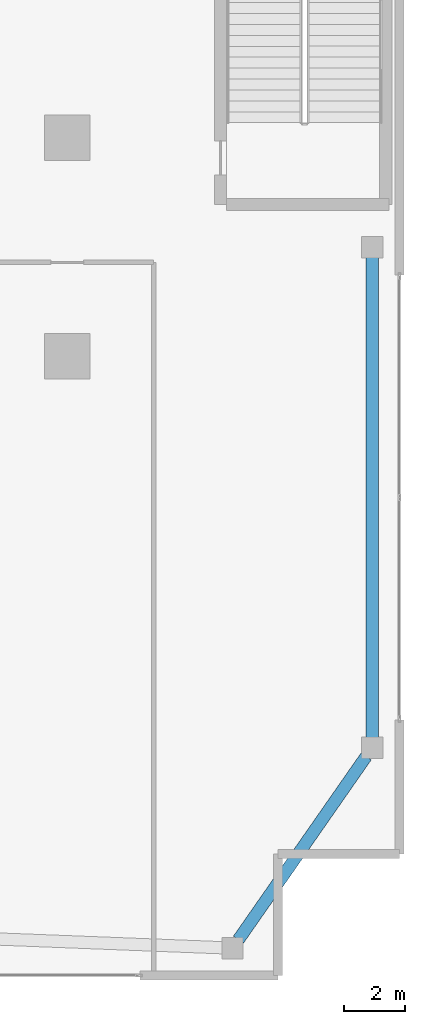
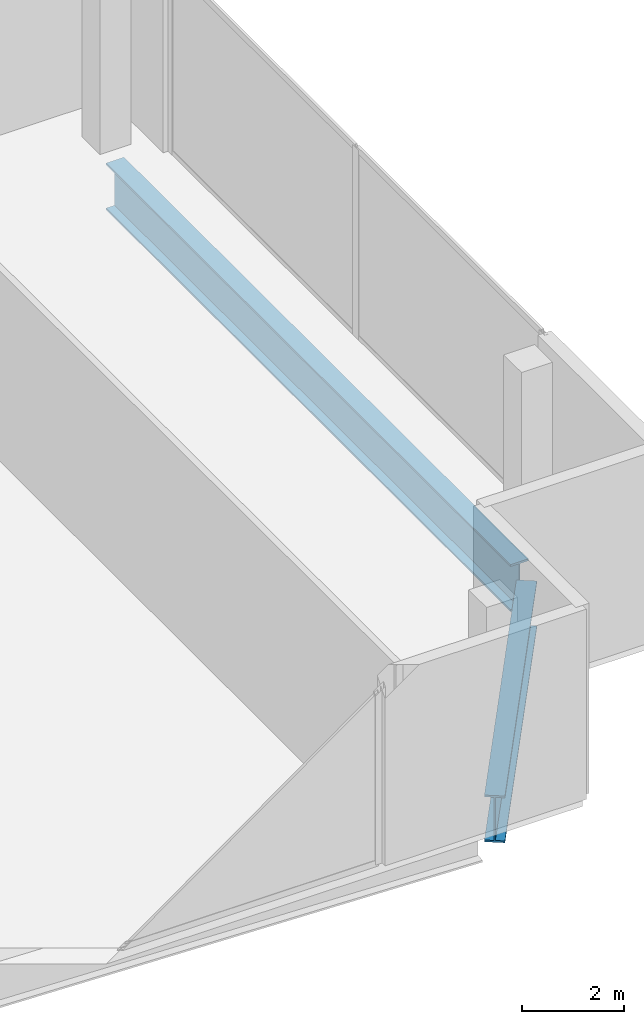
# One storey, part 21 of 33: 2 beams.
"""IFC4 building model written with IfcOpenShell, lengths in metres."""

from ifc_helpers import new_model, si_unit, direction, frame, origin, origin_2d, place, context, subcontext, project, spatial, i_section, extrude, material, material_profile, profile_set, type_object, element, save


model = new_model("IFC4")

# Units and contexts
model_context = context("Model", 3, precision=1e-05, world=origin(), true_north=direction((0.0, 1.0)))
body_context = subcontext(model_context, "Body", "Model", "MODEL_VIEW")
ifc_project = project(units=[si_unit("LENGTHUNIT", "METRE"), si_unit("AREAUNIT", "SQUARE_METRE"), si_unit("VOLUMEUNIT", "CUBIC_METRE"), si_unit("PLANEANGLEUNIT", "RADIAN"), si_unit("MASSUNIT", "GRAM", prefix="KILO")], contexts=[model_context])

# Site, building, storey
site_placement = place(None, origin())
site = spatial("IfcSite", under=ifc_project, at=site_placement, CompositionType="ELEMENT")
building_placement = place(site_placement, origin())
building = spatial("IfcBuilding", under=site, at=building_placement, Name="Zuhayl Quay Hotel", CompositionType="ELEMENT")
storey_placement = place(building_placement, frame((0.0, 0.0, 18.0)))
storey = spatial("IfcBuildingStorey", under=building, at=storey_placement, Name="L03", CompositionType="ELEMENT", Elevation=18.0)

# Beams
ifc_material = material(Name="Steel ASTM A913 Grade 65", Category="steel")
ifc_material_profile = material_profile(ifc_material, i_section(OverallWidth=0.404052734375, OverallDepth=1.117919921875, WebThickness=0.026123046875, FlangeThickness=0.044921875, at=origin_2d()), Name="W44X335")
ifc_profile_set = profile_set([ifc_material_profile], Name="Steel ASTM A913 Grade 65")
beam_type = type_object("IfcBeamType", Name="BM_TG1_W44X335", PredefinedType="BEAM", material=ifc_profile_set)
beam_1_placement = place(storey_placement, frame((30.6943359375, -22.821044921875, -0.819091796875), z_axis=(0.571785900762, 0.820402878889, 0.0), x_axis=(-0.820402878889, 0.571785900762, 0.0)))
element("IfcBeam", 1, at=beam_1_placement, inside=storey, type_object=beam_type, Name="L03 Floor Beam PG_E_L03_0", PredefinedType="BEAM", context=body_context, shape_type="SweptSolid", body=[
    extrude(i_section(OverallWidth=0.404052734375, OverallDepth=1.117919921875, WebThickness=0.026123046875, FlangeThickness=0.044921875, at=origin_2d()), origin(), (0.0, 0.0, 1.0), 7.364990234375),
])
beam_2_placement = place(storey_placement, frame((35.10009765625, -16.159912109375, -0.819091796875), z_axis=(0.0, 1.0, 0.0), x_axis=(-1.0, 0.0, 0.0)))
element("IfcBeam", 2, at=beam_2_placement, inside=storey, type_object=beam_type, Name="L03 Floor Beam PG_E_L03_1", PredefinedType="BEAM", context=body_context, shape_type="SweptSolid", body=[
    extrude(i_section(OverallWidth=0.404052734375, OverallDepth=1.117919921875, WebThickness=0.026123046875, FlangeThickness=0.044921875, at=origin_2d()), origin(), (0.0, 0.0, 1.0), 15.81982421875),
])

save(model, "model.ifc")
